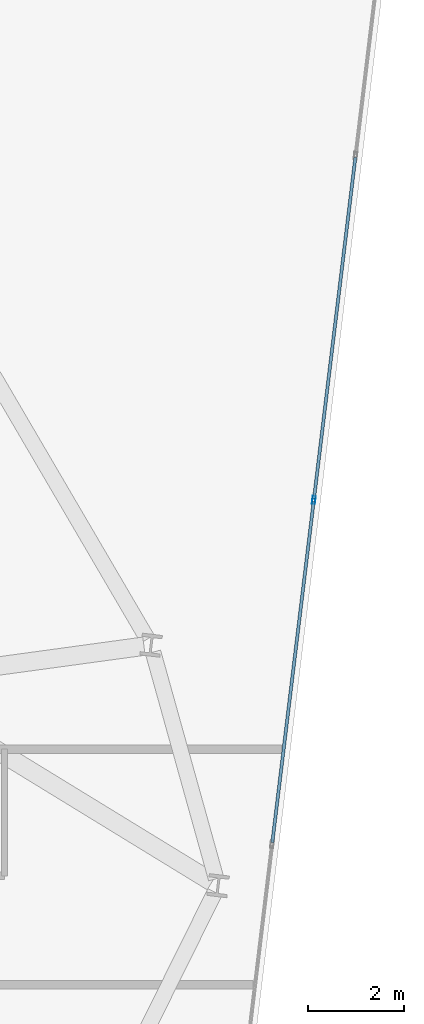
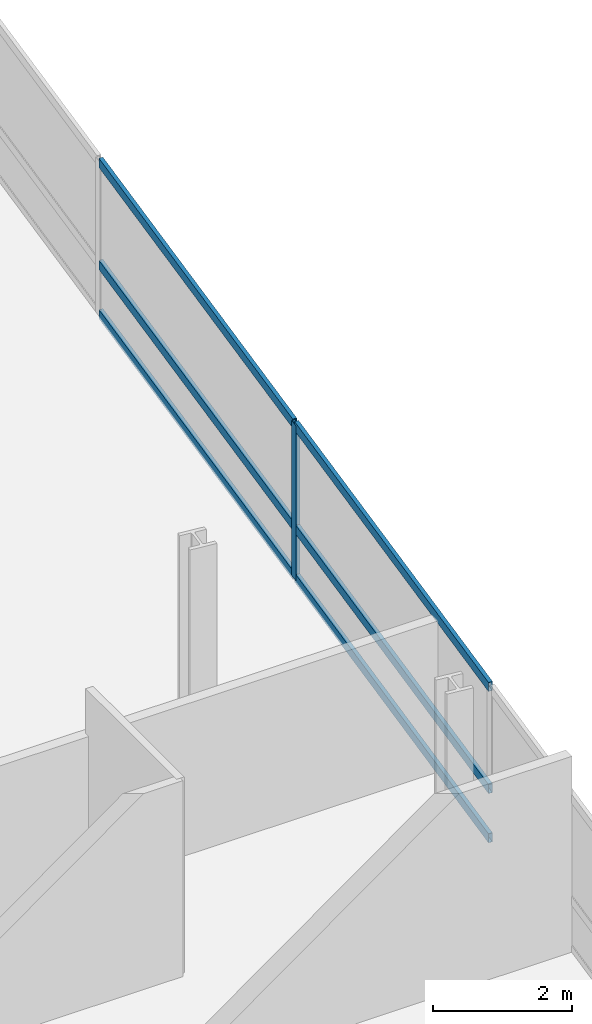
# One storey, part 16 of 25: 7 members, 1 element without a shape of its own.
"""IFC4 building model written with IfcOpenShell, lengths in metres."""

from ifc_helpers import new_model, si_unit, direction, frame, origin, origin_2d, place, context, subcontext, project, spatial, hollow_rectangle, extrude, material, layer, layer_set, material_profile, profile_set, type_object, element, aggregate, save


model = new_model("IFC4")

# Units and contexts
model_context = context("Model", 3, precision=1e-05, world=origin(), true_north=direction((0.0, 1.0)))
body_context = subcontext(model_context, "Body", "Model", "MODEL_VIEW")
ifc_project = project(units=[si_unit("LENGTHUNIT", "METRE"), si_unit("AREAUNIT", "SQUARE_METRE"), si_unit("VOLUMEUNIT", "CUBIC_METRE"), si_unit("PLANEANGLEUNIT", "RADIAN"), si_unit("MASSUNIT", "GRAM", prefix="KILO")], contexts=[model_context])

# Site, building, storey
site_placement = place(None, origin())
site = spatial("IfcSite", under=ifc_project, at=site_placement, CompositionType="ELEMENT")
building_placement = place(site_placement, origin())
building = spatial("IfcBuilding", under=site, at=building_placement, Name="Varnelok Gate Tower", CompositionType="ELEMENT")
storey_placement = place(building_placement, frame((0.0, 0.0, 140.199951171875)))
storey = spatial("IfcBuildingStorey", under=building, at=storey_placement, Name="L35", CompositionType="ELEMENT", Elevation=140.199951171875)

# Curtain wall, members
ifc_material = material(Name="Anodized Aluminum Alloy 6063-T6", Category="aluminium")
ifc_layer = layer(ifc_material, 0.179931640625)
ifc_layer_set = layer_set([ifc_layer], Name="Anodized Aluminum Alloy 6063-T6")
curtain_wall_type = type_object("IfcCurtainWallType", Name="CW3-HOTEL-VISION", PredefinedType="USERDEFINED", material=ifc_layer_set)
curtain_wall_placement = place(storey_placement, origin())
curtain_wall = element("IfcCurtainWall", 1, at=curtain_wall_placement, inside=storey, type_object=curtain_wall_type, Name="L35 East End Vision Curtain Wall", ObjectType="UNITISED CURTAIN WALL", PredefinedType="USERDEFINED")
ifc_material_profile_1 = material_profile(ifc_material, hollow_rectangle(XDim=0.06494140625, YDim=0.159912109375, WallThickness=0.00390625, at=origin_2d()), Name="ALU160X65X4")
ifc_profile_set_1 = profile_set([ifc_material_profile_1], Name="Anodized Aluminum Alloy 6063-T6")
member_type_1 = type_object("IfcMemberType", Name="CW-MULL-160", PredefinedType="MULLION", material=ifc_profile_set_1)
member_1_placement = place(storey_placement, frame((76.423828125, 24.413818359375, 0.0), z_axis=(0.0, 0.0, 1.0), x_axis=(0.99273188146, -0.120347046212, 0.0)))
member_1 = element("IfcMember", 2, at=member_1_placement, type_object=member_type_1, Name="CW3 mullion 3", PredefinedType="MULLION", context=body_context, shape_type="SweptSolid", body=[
    extrude(hollow_rectangle(XDim=0.06494140625, YDim=0.159912109375, WallThickness=0.00390625, at=origin_2d()), origin(), (0.0, 0.0, 1.0), 2.72998046875),
])
ifc_material_profile_2 = material_profile(ifc_material, hollow_rectangle(XDim=0.06494140625, YDim=0.159912109375, WallThickness=0.00390625, at=origin_2d()), Name="ALU160X65X4")
ifc_profile_set_2 = profile_set([ifc_material_profile_2], Name="Anodized Aluminum Alloy 6063-T6")
member_type_2 = type_object("IfcMemberType", Name="CW-TRAN-160", PredefinedType="USERDEFINED", material=ifc_profile_set_2)
member_2_placement = place(storey_placement, frame((77.286376953125, 31.529296875, 0.032470703125), z_axis=(-0.120340564253, -0.992732667235, 0.0), x_axis=(0.992732667235, -0.120340564253, 0.0)))
member_2 = element("IfcMember", 3, at=member_2_placement, type_object=member_type_2, Name="CW3 transom 2.1", ObjectType="TRANSOM", PredefinedType="USERDEFINED", context=body_context, shape_type="SweptSolid", body=[
    extrude(hollow_rectangle(XDim=0.06494140625, YDim=0.159912109375, WallThickness=0.00390625, at=origin_2d()), origin(), (0.0, 0.0, 1.0), 7.135009765625),
])
member_3_placement = place(storey_placement, frame((77.286376953125, 31.529296875, 0.900146484375), z_axis=(-0.120340564253, -0.992732667235, 0.0), x_axis=(0.992732667235, -0.120340564253, 0.0)))
member_3 = element("IfcMember", 4, at=member_3_placement, type_object=member_type_2, Name="CW3 transom 2.2", ObjectType="TRANSOM", PredefinedType="USERDEFINED", context=body_context, shape_type="SweptSolid", body=[
    extrude(hollow_rectangle(XDim=0.06494140625, YDim=0.159912109375, WallThickness=0.00390625, at=origin_2d()), origin(), (0.0, 0.0, 1.0), 7.135009765625),
])
member_4_placement = place(storey_placement, frame((77.286376953125, 31.529296875, 2.697509765625), z_axis=(-0.120340564253, -0.992732667235, 0.0), x_axis=(0.992732667235, -0.120340564253, 0.0)))
member_4 = element("IfcMember", 5, at=member_4_placement, type_object=member_type_2, Name="CW3 transom 2.3", ObjectType="TRANSOM", PredefinedType="USERDEFINED", context=body_context, shape_type="SweptSolid", body=[
    extrude(hollow_rectangle(XDim=0.06494140625, YDim=0.159912109375, WallThickness=0.00390625, at=origin_2d()), origin(), (0.0, 0.0, 1.0), 7.135009765625),
])
member_5_placement = place(storey_placement, frame((76.419921875, 24.381591796875, 0.032470703125), z_axis=(-0.120340564253, -0.992732667235, 0.0), x_axis=(0.992732667235, -0.120340564253, 0.0)))
member_5 = element("IfcMember", 6, at=member_5_placement, type_object=member_type_2, Name="CW3 transom 3.1", ObjectType="TRANSOM", PredefinedType="USERDEFINED", context=body_context, shape_type="SweptSolid", body=[
    extrude(hollow_rectangle(XDim=0.06494140625, YDim=0.159912109375, WallThickness=0.00390625, at=origin_2d()), origin(), (0.0, 0.0, 1.0), 7.135009765625),
])
member_6_placement = place(storey_placement, frame((76.419921875, 24.381591796875, 0.900146484375), z_axis=(-0.120340564253, -0.992732667235, 0.0), x_axis=(0.992732667235, -0.120340564253, 0.0)))
member_6 = element("IfcMember", 7, at=member_6_placement, type_object=member_type_2, Name="CW3 transom 3.2", ObjectType="TRANSOM", PredefinedType="USERDEFINED", context=body_context, shape_type="SweptSolid", body=[
    extrude(hollow_rectangle(XDim=0.06494140625, YDim=0.159912109375, WallThickness=0.00390625, at=origin_2d()), origin(), (0.0, 0.0, 1.0), 7.135009765625),
])
member_7_placement = place(storey_placement, frame((76.419921875, 24.381591796875, 2.697509765625), z_axis=(-0.120340564253, -0.992732667235, 0.0), x_axis=(0.992732667235, -0.120340564253, 0.0)))
member_7 = element("IfcMember", 8, at=member_7_placement, type_object=member_type_2, Name="CW3 transom 3.3", ObjectType="TRANSOM", PredefinedType="USERDEFINED", context=body_context, shape_type="SweptSolid", body=[
    extrude(hollow_rectangle(XDim=0.06494140625, YDim=0.159912109375, WallThickness=0.00390625, at=origin_2d()), origin(), (0.0, 0.0, 1.0), 7.135009765625),
])
aggregate(curtain_wall, [member_1, member_2, member_3, member_4, member_5, member_6, member_7])

save(model, "model.ifc")
